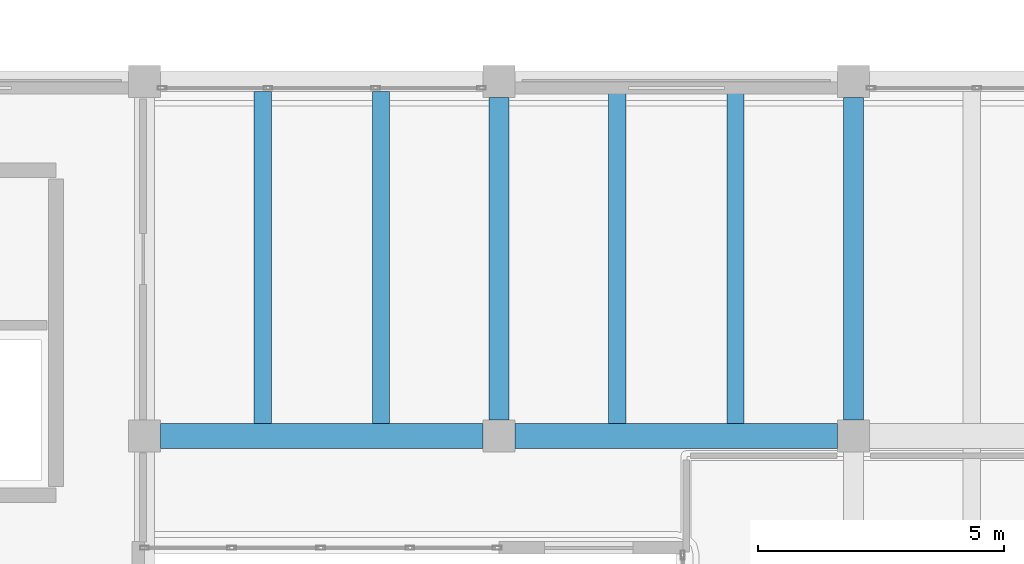
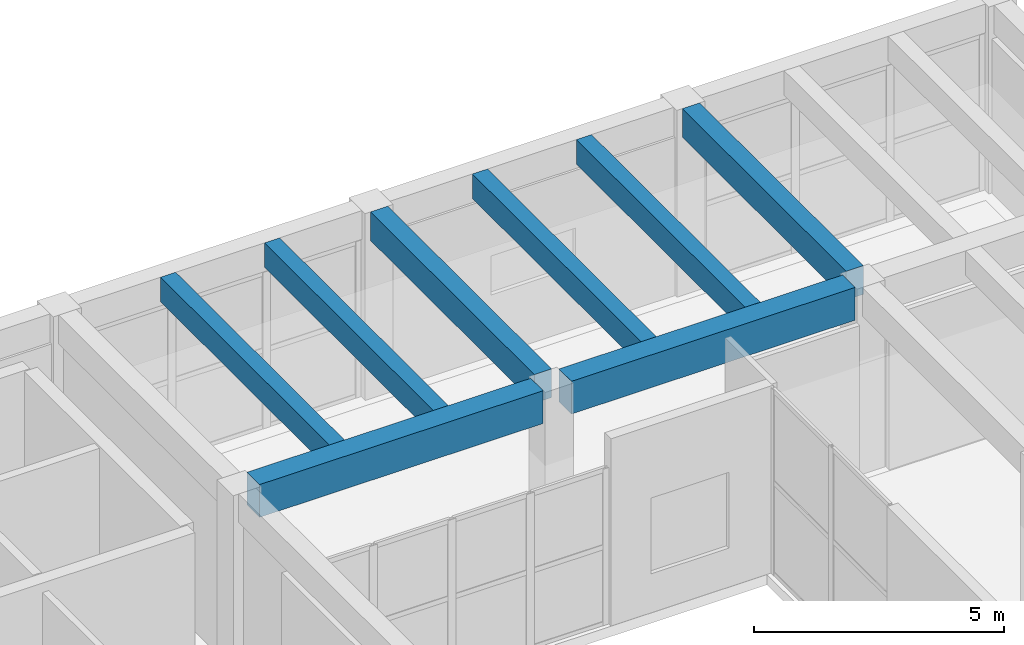
# One storey, part 77 of 155: 8 beams.
"""IFC4 building model written with IfcOpenShell, lengths in metres."""

from ifc_helpers import new_model, si_unit, direction, frame, origin, origin_2d, place, context, subcontext, project, spatial, rectangle, extrude, material, material_profile, profile_set, type_object, element, save


model = new_model("IFC4")

# Units and contexts
model_context = context("Model", 3, precision=1e-05, world=origin(), true_north=direction((0.0, 1.0)))
body_context = subcontext(model_context, "Body", "Model", "MODEL_VIEW")
ifc_project = project(units=[si_unit("LENGTHUNIT", "METRE"), si_unit("AREAUNIT", "SQUARE_METRE"), si_unit("VOLUMEUNIT", "CUBIC_METRE"), si_unit("PLANEANGLEUNIT", "RADIAN"), si_unit("MASSUNIT", "GRAM", prefix="KILO")], contexts=[model_context])

# Site, building, storey
site_placement = place(None, origin())
site = spatial("IfcSite", under=ifc_project, at=site_placement, CompositionType="ELEMENT")
building_placement = place(site_placement, origin())
building = spatial("IfcBuilding", under=site, at=building_placement, Name="Bramvelor Terrace Health Centre", CompositionType="ELEMENT")
storey_placement = place(building_placement, origin())
storey = spatial("IfcBuildingStorey", under=building, at=storey_placement, Name="L01", CompositionType="ELEMENT", Elevation=0.0)

# Beams
ifc_material_1 = material(Name="Concrete C40/50", Category="concrete")
ifc_material_profile_1 = material_profile(ifc_material_1, rectangle(XDim=0.39990234375, YDim=0.699951171875, at=origin_2d()), Name="RC 400x700")
ifc_profile_set_1 = profile_set([ifc_material_profile_1], Name="Concrete C40/50")
beam_type_1 = type_object("IfcBeamType", Name="BM-RC-G700", PredefinedType="BEAM", material=ifc_profile_set_1)
for number, where, z_axis, x_axis, name in (
    (1, (21.60009765625, 108.324951171875, 4.2099609375), (0.0, 1.0, 0.0), (-1.0, 0.0, 0.0), "L01 Floor Girder"),
    (2, (28.800048828125, 108.324951171875, 4.2099609375), (0.0, 1.0, 0.0), (-1.0, 0.0, 0.0), "L01 Floor Girder"),
):
    element("IfcBeam", number, at=place(storey_placement, frame(where, z_axis=z_axis, x_axis=x_axis)), inside=storey, type_object=beam_type_1, Name=name, PredefinedType="BEAM", context=body_context, shape_type="SweptSolid", body=[
        extrude(rectangle(XDim=0.39990234375, YDim=0.699951171875, at=origin_2d()), origin(), (0.0, 0.0, 1.0), 6.550048828125),
    ])
ifc_material_2 = material(Name="Concrete C40/50", Category="concrete")
ifc_material_profile_2 = material_profile(ifc_material_2, rectangle(XDim=0.5, YDim=0.800048828125, at=origin_2d()), Name="RC 500x800")
ifc_profile_set_2 = profile_set([ifc_material_profile_2], Name="Concrete C40/50")
beam_type_2 = type_object("IfcBeamType", Name="BM-RC-G800", PredefinedType="BEAM", material=ifc_profile_set_2)
beam_1_placement = place(storey_placement, frame((14.72509765625, 108.0, 4.159912109375), z_axis=(1.0, 0.0, 0.0), x_axis=(0.0, 1.0, 0.0)))
element("IfcBeam", 3, at=beam_1_placement, inside=storey, type_object=beam_type_2, Name="L01 Floor Girder", PredefinedType="BEAM", context=body_context, shape_type="SweptSolid", body=[
    extrude(rectangle(XDim=0.5, YDim=0.800048828125, at=origin_2d()), origin(), (0.0, 0.0, 1.0), 6.5498046875),
])
beam_2_placement = place(storey_placement, frame((21.925048828125, 108.0, 4.159912109375), z_axis=(1.0, 0.0, 0.0), x_axis=(0.0, 1.0, 0.0)))
element("IfcBeam", 4, at=beam_2_placement, inside=storey, type_object=beam_type_2, Name="L01 Floor Girder", PredefinedType="BEAM", context=body_context, shape_type="SweptSolid", body=[
    extrude(rectangle(XDim=0.5, YDim=0.800048828125, at=origin_2d()), origin(), (0.0, 0.0, 1.0), 6.550048828125),
])
ifc_material_3 = material(Name="Concrete C40/50", Category="concrete")
ifc_material_profile_3 = material_profile(ifc_material_3, rectangle(XDim=0.35009765625, YDim=0.60009765625, at=origin_2d()), Name="RC 350x600")
ifc_profile_set_3 = profile_set([ifc_material_profile_3], Name="Concrete C40/50")
beam_type_3 = type_object("IfcBeamType", Name="BM-RC-J600", PredefinedType="JOIST", material=ifc_profile_set_3)
for number, where, z_axis, x_axis, name in (
    (5, (16.800048828125, 108.25, 4.260009765625), (0.0, 1.0, 0.0), (-1.0, 0.0, 0.0), "L01 Secondary Floor Joist"),
    (6, (19.199951171875, 108.25, 4.260009765625), (0.0, 1.0, 0.0), (-1.0, 0.0, 0.0), "L01 Secondary Floor Joist"),
    (7, (24.0, 108.25, 4.260009765625), (0.0, 1.0, 0.0), (-1.0, 0.0, 0.0), "L01 Secondary Floor Joist"),
    (8, (26.39990234375, 108.25, 4.260009765625), (0.0, 1.0, 0.0), (-1.0, 0.0, 0.0), "L01 Secondary Floor Joist"),
):
    element("IfcBeam", number, at=place(storey_placement, frame(where, z_axis=z_axis, x_axis=x_axis)), inside=storey, type_object=beam_type_3, Name=name, PredefinedType="JOIST", context=body_context, shape_type="SweptSolid", body=[
        extrude(rectangle(XDim=0.35009765625, YDim=0.60009765625, at=origin_2d()), origin(), (0.0, 0.0, 1.0), 6.75),
    ])

save(model, "model.ifc")
